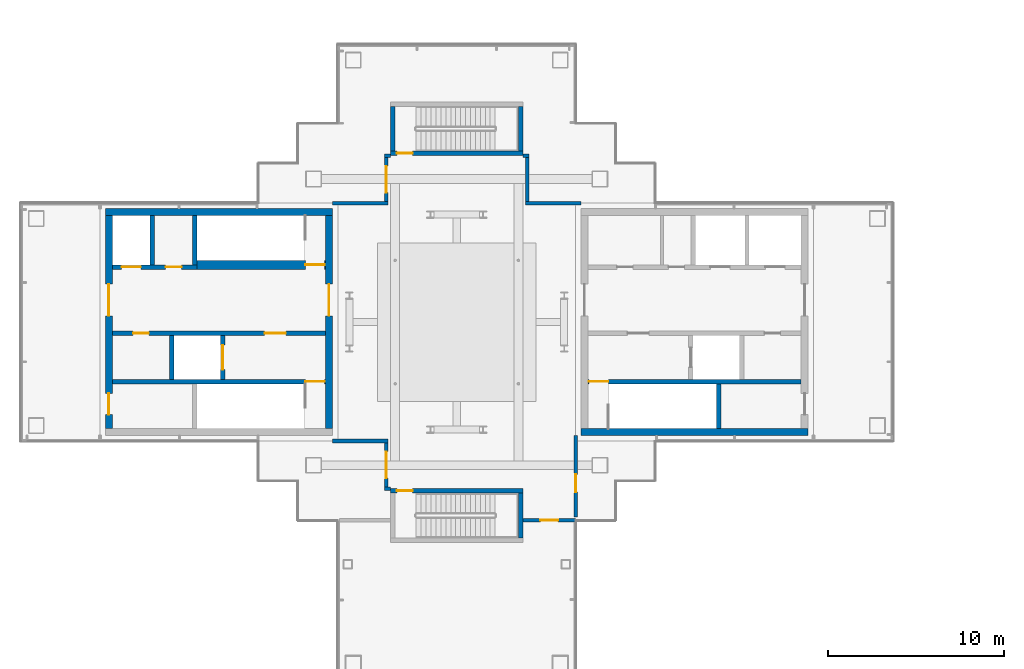
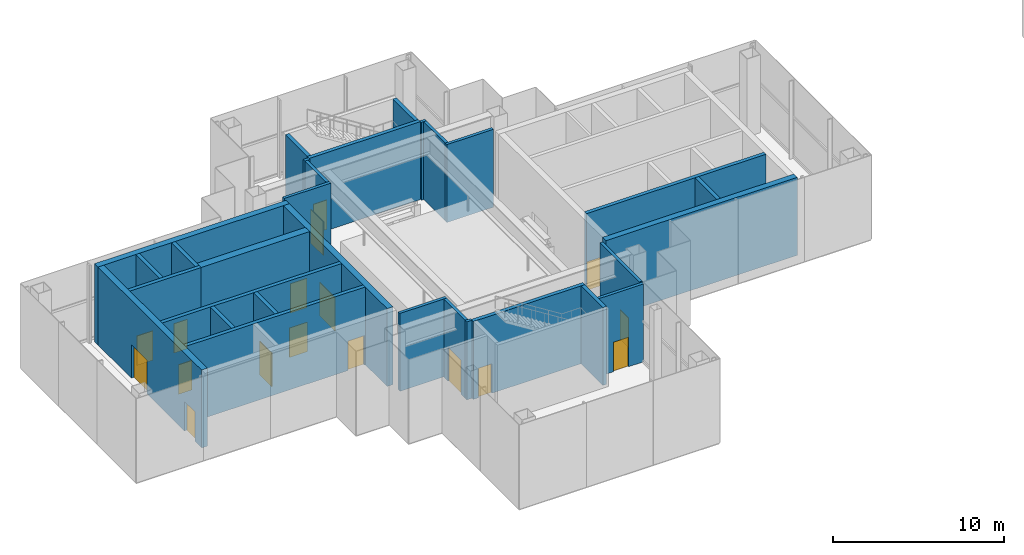
# One storey, part 9 of 17: 30 walls, 17 doors, 17 openings.
"""IFC4 building model written with IfcOpenShell, lengths in metres."""

from ifc_helpers import new_model, si_unit, direction, frame, frame_2d, origin, place, context, subcontext, project, spatial, rectangle, extrude, material, layer, layer_set, type_object, element, fill, save


model = new_model("IFC4")

# Units and contexts
model_context = context("Model", 3, precision=1e-05, world=origin(), true_north=direction((0.0, 1.0)))
body_context = subcontext(model_context, "Body", "Model", "MODEL_VIEW")
ifc_project = project(units=[si_unit("LENGTHUNIT", "METRE"), si_unit("AREAUNIT", "SQUARE_METRE"), si_unit("VOLUMEUNIT", "CUBIC_METRE"), si_unit("PLANEANGLEUNIT", "RADIAN"), si_unit("MASSUNIT", "GRAM", prefix="KILO")], contexts=[model_context])

# Site, building, storey
site_placement = place(None, origin())
site = spatial("IfcSite", under=ifc_project, at=site_placement, CompositionType="ELEMENT")
building_placement = place(site_placement, origin())
building = spatial("IfcBuilding", under=site, at=building_placement, Name="Shamsa Quay Exchange Towers", CompositionType="ELEMENT")
storey_placement = place(building_placement, frame((0.0, 0.0, 278.300048828125)))
storey = spatial("IfcBuildingStorey", under=building, at=storey_placement, Name="L67", CompositionType="ELEMENT", Elevation=278.300048828125)

# Walls
ifc_material_1 = material(Name="Concrete C60/75", Category="concrete")
ifc_layer_1 = layer(ifc_material_1, 0.39990234375)
ifc_layer_set_1 = layer_set([ifc_layer_1], Name="CORE WALL 400 C60/75")
wall_type_1 = type_object("IfcWallType", Name="CORE WALL 400 C60/75", PredefinedType="SHEAR", material=ifc_layer_set_1)
wall_1_placement = place(storey_placement, frame((-26.699951171875, -6.25, 0.0)))
element("IfcWall", 1, at=wall_1_placement, inside=storey, type_object=wall_type_1, Name="Core wall T1A-L67-PS", PredefinedType="SHEAR", context=body_context, shape_type="SweptSolid", body=[
    extrude(rectangle(XDim=12.89990234375, YDim=0.39990234375, at=frame_2d((6.449951171875, 0.0))), origin(), (0.0, 0.0, 1.0), 5.550048828125),
])
wall_2_placement = place(storey_placement, frame((-40.800048828125, 6.25, 0.0), z_axis=(0.0, 0.0, 1.0), x_axis=(-1.0, 0.0, 0.0)))
element("IfcWall", 2, at=wall_2_placement, inside=storey, type_object=wall_type_1, Name="Core wall T1B-L67-PN", PredefinedType="SHEAR", context=body_context, shape_type="SweptSolid", body=[
    extrude(rectangle(XDim=12.89990234375, YDim=0.39990234375, at=frame_2d((6.449951171875, 0.0))), origin(), (0.0, 0.0, 1.0), 5.550048828125),
])

# Wall, opening, door
wall_3_placement = place(storey_placement, frame((-41.0, -6.050048828125, 0.0), z_axis=(0.0, 0.0, 1.0), x_axis=(0.0, 1.0, 0.0)))
wall_3 = element("IfcWall", 3, at=wall_3_placement, inside=storey, type_object=wall_type_1, Name="Core wall T1B-L67-PF", PredefinedType="SHEAR", context=body_context, shape_type="SweptSolid", body=[
    extrude(rectangle(XDim=12.10009765625, YDim=0.39990234375, at=frame_2d((6.050048828125, 0.0))), origin(), (0.0, 0.0, 1.0), 5.550048828125),
])
opening_1_placement = place(wall_3_placement, frame((6.39990234375, 0.0, 0.0)))
opening_1 = element("IfcOpeningElement", 4, at=opening_1_placement, cuts=wall_3, Name="Opening T1B-L67-LBD01", PredefinedType="OPENING", context=body_context, shape_type="SweptSolid", body=[
    extrude(rectangle(XDim=1.800048828125, YDim=2.39990234375, at=frame_2d((0.89990234375, 1.199951171875))), frame((0.0, 0.2099609375, 0.0), z_axis=(0.0, -1.0, 0.0), x_axis=(1.0, 0.0, 0.0)), (0.0, 0.0, 1.0), 0.419921875),
])
ifc_material_2 = material(Name="Steel, fire rated", Category="steel")
door_type_1 = type_object("IfcDoorType", Name="LIFT LOBBY DOOR PAIR 1800", OperationType="DOUBLE_DOOR_SINGLE_SWING", PredefinedType="DOOR", material=ifc_material_2)
door_1_placement = place(opening_1_placement, origin())
door_1 = element("IfcDoor", 5, at=door_1_placement, inside=storey, type_object=door_type_1, Name="T1B-L67-LBD01", OperationType="DOUBLE_DOOR_SINGLE_SWING", OverallHeight=2.39990234375, OverallWidth=1.800048828125, PredefinedType="DOOR", context=body_context, shape_type="SweptSolid", body=[
    extrude(rectangle(XDim=1.800048828125, YDim=2.39990234375, at=frame_2d((0.89990234375, 1.199951171875))), frame((0.0, 0.02490234375, 0.0), z_axis=(0.0, -1.0, 0.0), x_axis=(1.0, 0.0, 0.0)), (0.0, 0.0, 1.0), 0.050048828125),
])
fill(opening_1, door_1)

# Wall, openings, doors
wall_4_placement = place(storey_placement, frame((-53.5, -6.050048828125, 0.0), z_axis=(0.0, 0.0, 1.0), x_axis=(0.0, 1.0, 0.0)))
wall_4 = element("IfcWall", 6, at=wall_4_placement, inside=storey, type_object=wall_type_1, Name="Core wall T1B-L67-PB", PredefinedType="SHEAR", context=body_context, shape_type="SweptSolid", body=[
    extrude(rectangle(XDim=12.10009765625, YDim=0.39990234375, at=frame_2d((6.050048828125, 0.0))), origin(), (0.0, 0.0, 1.0), 5.550048828125),
])
opening_2_placement = place(wall_4_placement, frame((0.800048828125, 0.0, 0.0)))
opening_2 = element("IfcOpeningElement", 7, at=opening_2_placement, cuts=wall_4, Name="Opening T1B-L67-RD02", PredefinedType="OPENING", context=body_context, shape_type="SweptSolid", body=[
    extrude(rectangle(XDim=1.199951171875, YDim=2.10009765625, at=frame_2d((0.60009765625, 1.050048828125))), frame((0.0, 0.2099609375, 0.0), z_axis=(0.0, -1.0, 0.0), x_axis=(1.0, 0.0, 0.0)), (0.0, 0.0, 1.0), 0.419921875),
])
opening_3_placement = place(wall_4_placement, frame((6.39990234375, 0.0, 0.0)))
opening_3 = element("IfcOpeningElement", 8, at=opening_3_placement, cuts=wall_4, Name="Opening T1B-L67-LBD03", PredefinedType="OPENING", context=body_context, shape_type="SweptSolid", body=[
    extrude(rectangle(XDim=1.800048828125, YDim=2.39990234375, at=frame_2d((0.89990234375, 1.199951171875))), frame((0.0, 0.2099609375, 0.0), z_axis=(0.0, -1.0, 0.0), x_axis=(1.0, 0.0, 0.0)), (0.0, 0.0, 1.0), 0.419921875),
])
door_2_placement = place(opening_3_placement, origin())
door_2 = element("IfcDoor", 9, at=door_2_placement, inside=storey, type_object=door_type_1, Name="T1B-L67-LBD03", OperationType="DOUBLE_DOOR_SINGLE_SWING", OverallHeight=2.39990234375, OverallWidth=1.800048828125, PredefinedType="DOOR", context=body_context, shape_type="SweptSolid", body=[
    extrude(rectangle(XDim=1.800048828125, YDim=2.39990234375, at=frame_2d((0.89990234375, 1.199951171875))), frame((0.0, 0.02490234375, 0.0), z_axis=(0.0, -1.0, 0.0), x_axis=(1.0, 0.0, 0.0)), (0.0, 0.0, 1.0), 0.050048828125),
])
fill(opening_3, door_2)
door_type_2 = type_object("IfcDoorType", Name="RISER ACCESS DOOR 1200", OperationType="SINGLE_SWING_LEFT", PredefinedType="DOOR", material=ifc_material_2)
door_3_placement = place(opening_2_placement, origin())
door_3 = element("IfcDoor", 10, at=door_3_placement, inside=storey, type_object=door_type_2, Name="T1B-L67-RD02", OperationType="SINGLE_SWING_LEFT", OverallHeight=2.10009765625, OverallWidth=1.199951171875, PredefinedType="DOOR", context=body_context, shape_type="SweptSolid", body=[
    extrude(rectangle(XDim=1.199951171875, YDim=2.10009765625, at=frame_2d((0.60009765625, 1.050048828125))), frame((0.0, 0.02490234375, 0.0), z_axis=(0.0, -1.0, 0.0), x_axis=(1.0, 0.0, 0.0)), (0.0, 0.0, 1.0), 0.050048828125),
])
fill(opening_2, door_3)

# Walls
ifc_material_3 = material(Name="Gypsum board partition on metal studs")
ifc_layer_2 = layer(ifc_material_3, 0.199951171875)
ifc_layer_set_2 = layer_set([ifc_layer_2], Name="Partition 200 mm EI 120")
wall_type_2 = type_object("IfcWallType", Name="Partition 200 mm EI 120", PredefinedType="PARTITIONING", material=ifc_layer_set_2)
for number, where, name in (
    (11, (-40.800048828125, 6.75, 0.0), "Partition T1-L67-W01"),
    (12, (-29.85009765625, 6.75, 0.0), "Partition T1-L67-W02"),
):
    element("IfcWall", number, at=place(storey_placement, frame(where)), inside=storey, type_object=wall_type_2, Name=name, PredefinedType="PARTITIONING", context=body_context, shape_type="SweptSolid", body=[
        extrude(rectangle(XDim=3.150146484375, YDim=0.199951171875, at=frame_2d((1.5751953125, 0.0))), origin(), (0.0, 0.0, 1.0), 5.550048828125),
    ])

# Wall, opening, door
wall_5_placement = place(storey_placement, frame((-37.75, -9.35009765625, 0.0), z_axis=(0.0, 0.0, 1.0), x_axis=(0.0, 1.0, 0.0)))
wall_5 = element("IfcWall", 13, at=wall_5_placement, inside=storey, type_object=wall_type_2, Name="Partition T1-L67-W03", PredefinedType="PARTITIONING", context=body_context, shape_type="SweptSolid", body=[
    extrude(rectangle(XDim=2.5, YDim=0.199951171875, at=frame_2d((1.25, 0.0))), origin(), (0.0, 0.0, 1.0), 5.550048828125),
])
opening_4_placement = place(wall_5_placement, frame((0.5, 0.0, 0.0)))
opening_4 = element("IfcOpeningElement", 14, at=opening_4_placement, cuts=wall_5, Name="Opening T1-L67-D01", PredefinedType="OPENING", context=body_context, shape_type="SweptSolid", body=[
    extrude(rectangle(XDim=1.5, YDim=2.39990234375, at=frame_2d((0.75, 1.199951171875))), frame((0.0, 0.10986328125, 0.0), z_axis=(0.0, -1.0, 0.0), x_axis=(1.0, 0.0, 0.0)), (0.0, 0.0, 1.0), 0.219970703125),
])
ifc_material_4 = material(Name="Timber door leaf in a metal frame", Category="wood")
door_type_3 = type_object("IfcDoorType", Name="Door 1500x2400 FD60 pair", OperationType="NOTDEFINED", PredefinedType="DOOR", material=ifc_material_4)
door_4_placement = place(opening_4_placement, origin())
door_4 = element("IfcDoor", 15, at=door_4_placement, inside=storey, type_object=door_type_3, Name="Door T1-L67-D01", OperationType="DOUBLE_DOOR_SINGLE_SWING", OverallHeight=2.39990234375, OverallWidth=1.5, PredefinedType="DOOR", context=body_context, shape_type="SweptSolid", body=[
    extrude(rectangle(XDim=1.5, YDim=2.39990234375, at=frame_2d((0.75, 1.199951171875))), frame((0.0, 0.02490234375, 0.0), z_axis=(0.0, -1.0, 0.0), x_axis=(1.0, 0.0, 0.0)), (0.0, 0.0, 1.0), 0.050048828125),
])
fill(opening_4, door_4)

wall_6_placement = place(storey_placement, frame((-37.75, 6.85009765625, 0.0), z_axis=(0.0, 0.0, 1.0), x_axis=(0.0, 1.0, 0.0)))
wall_6 = element("IfcWall", 16, at=wall_6_placement, inside=storey, type_object=wall_type_2, Name="Partition T1-L67-W04", PredefinedType="PARTITIONING", context=body_context, shape_type="SweptSolid", body=[
    extrude(rectangle(XDim=2.5, YDim=0.199951171875, at=frame_2d((1.25, 0.0))), origin(), (0.0, 0.0, 1.0), 5.550048828125),
])
opening_5_placement = place(wall_6_placement, frame((0.5, 0.0, 0.0)))
opening_5 = element("IfcOpeningElement", 17, at=opening_5_placement, cuts=wall_6, Name="Opening T1-L67-D02", PredefinedType="OPENING", context=body_context, shape_type="SweptSolid", body=[
    extrude(rectangle(XDim=1.5, YDim=2.39990234375, at=frame_2d((0.75, 1.199951171875))), frame((0.0, 0.10986328125, 0.0), z_axis=(0.0, -1.0, 0.0), x_axis=(1.0, 0.0, 0.0)), (0.0, 0.0, 1.0), 0.219970703125),
])
door_5_placement = place(opening_5_placement, origin())
door_5 = element("IfcDoor", 18, at=door_5_placement, inside=storey, type_object=door_type_3, Name="Door T1-L67-D02", OperationType="DOUBLE_DOOR_SINGLE_SWING", OverallHeight=2.39990234375, OverallWidth=1.5, PredefinedType="DOOR", context=body_context, shape_type="SweptSolid", body=[
    extrude(rectangle(XDim=1.5, YDim=2.39990234375, at=frame_2d((0.75, 1.199951171875))), frame((0.0, 0.02490234375, 0.0), z_axis=(0.0, -1.0, 0.0), x_axis=(1.0, 0.0, 0.0)), (0.0, 0.0, 1.0), 0.050048828125),
])
fill(opening_5, door_5)

# Walls
for number, where, name in (
    (19, (-37.85009765625, 9.4501953125, 0.0), "Partition T1-L67-W05"),
    (20, (-30.0, 9.4501953125, 0.0), "Partition T1-L67-W06"),
):
    element("IfcWall", number, at=place(storey_placement, frame(where)), inside=storey, type_object=wall_type_2, Name=name, PredefinedType="PARTITIONING", context=body_context, shape_type="SweptSolid", body=[
        extrude(rectangle(XDim=0.35009765625, YDim=0.199951171875, at=frame_2d((0.175048828125, 0.0))), origin(), (0.0, 0.0, 1.0), 5.550048828125),
    ])
wall_7_placement = place(storey_placement, frame((-29.75, 9.35009765625, 0.0), z_axis=(0.0, 0.0, 1.0), x_axis=(0.0, -1.0, 0.0)))
element("IfcWall", 21, at=wall_7_placement, inside=storey, type_object=wall_type_2, Name="Partition T1-L67-W07", PredefinedType="PARTITIONING", context=body_context, shape_type="SweptSolid", body=[
    extrude(rectangle(XDim=2.5, YDim=0.199951171875, at=frame_2d((1.25, 0.0))), origin(), (0.0, 0.0, 1.0), 5.550048828125),
])
wall_8_placement = place(storey_placement, frame((-37.5, -9.4501953125, 0.0), z_axis=(0.0, 0.0, 1.0), x_axis=(-1.0, 0.0, 0.0)))
element("IfcWall", 22, at=wall_8_placement, inside=storey, type_object=wall_type_2, Name="Partition T1-L67-W08", PredefinedType="PARTITIONING", context=body_context, shape_type="SweptSolid", body=[
    extrude(rectangle(XDim=0.35009765625, YDim=0.199951171875, at=frame_2d((0.175048828125, 0.0))), origin(), (0.0, 0.0, 1.0), 5.550048828125),
])
wall_9_placement = place(storey_placement, frame((-37.64990234375, -6.75, 0.0), z_axis=(0.0, 0.0, 1.0), x_axis=(-1.0, 0.0, 0.0)))
element("IfcWall", 23, at=wall_9_placement, inside=storey, type_object=wall_type_2, Name="Partition T1-L67-W09", PredefinedType="PARTITIONING", context=body_context, shape_type="SweptSolid", body=[
    extrude(rectangle(XDim=3.150146484375, YDim=0.199951171875, at=frame_2d((1.5751953125, 0.0))), origin(), (0.0, 0.0, 1.0), 5.550048828125),
])

# Wall, opening, door
wall_10_placement = place(storey_placement, frame((-26.9951171875, -11.25, 0.0), z_axis=(0.0, 0.0, 1.0), x_axis=(-1.0, 0.0, 0.0)))
wall_10 = element("IfcWall", 24, at=wall_10_placement, inside=storey, type_object=wall_type_2, Name="Partition T1-L67-W10", PredefinedType="PARTITIONING", context=body_context, shape_type="SweptSolid", body=[
    extrude(rectangle(XDim=3.0048828125, YDim=0.199951171875, at=frame_2d((1.50244140625, 0.0))), origin(), (0.0, 0.0, 1.0), 5.550048828125),
])
opening_6_placement = place(wall_10_placement, frame((1.0048828125, 0.0, 0.0)))
opening_6 = element("IfcOpeningElement", 25, at=opening_6_placement, cuts=wall_10, Name="Opening T1-L67-D03", PredefinedType="OPENING", context=body_context, shape_type="SweptSolid", body=[
    extrude(rectangle(XDim=1.0, YDim=2.10009765625, at=frame_2d((0.5, 1.050048828125))), frame((0.0, 0.10986328125, 0.0), z_axis=(0.0, -1.0, 0.0), x_axis=(1.0, 0.0, 0.0)), (0.0, 0.0, 1.0), 0.219970703125),
])
door_type_4 = type_object("IfcDoorType", Name="Door 1000x2100 FD60", OperationType="NOTDEFINED", PredefinedType="DOOR", material=ifc_material_4)
door_6_placement = place(opening_6_placement, origin())
door_6 = element("IfcDoor", 26, at=door_6_placement, inside=storey, type_object=door_type_4, Name="Door T1-L67-D03", OperationType="SINGLE_SWING_LEFT", OverallHeight=2.10009765625, OverallWidth=1.0, PredefinedType="DOOR", context=body_context, shape_type="SweptSolid", body=[
    extrude(rectangle(XDim=1.0, YDim=2.10009765625, at=frame_2d((0.5, 1.050048828125))), frame((0.0, 0.02490234375, 0.0), z_axis=(0.0, -1.0, 0.0), x_axis=(1.0, 0.0, 0.0)), (0.0, 0.0, 1.0), 0.050048828125),
])
fill(opening_6, door_6)

wall_11_placement = place(storey_placement, frame((-27.0, -6.449951171875, 0.0), z_axis=(0.0, 0.0, 1.0), x_axis=(0.0, -1.0, 0.0)))
wall_11 = element("IfcWall", 27, at=wall_11_placement, inside=storey, type_object=wall_type_2, Name="Partition T1-L67-W11", PredefinedType="PARTITIONING", context=body_context, shape_type="SweptSolid", body=[
    extrude(rectangle(XDim=4.60498046875, YDim=0.199951171875, at=frame_2d((2.302490234375, 0.0))), origin(), (0.0, 0.0, 1.0), 5.550048828125),
])
opening_7_placement = place(wall_11_placement, frame((2.199951171875, 0.0, 0.0)))
opening_7 = element("IfcOpeningElement", 28, at=opening_7_placement, cuts=wall_11, Name="Opening T1-L67-D04", PredefinedType="OPENING", context=body_context, shape_type="SweptSolid", body=[
    extrude(rectangle(XDim=1.0, YDim=2.10009765625, at=frame_2d((0.5, 1.050048828125))), frame((0.0, 0.10986328125, 0.0), z_axis=(0.0, -1.0, 0.0), x_axis=(1.0, 0.0, 0.0)), (0.0, 0.0, 1.0), 0.219970703125),
])
door_7_placement = place(opening_7_placement, origin())
door_7 = element("IfcDoor", 29, at=door_7_placement, inside=storey, type_object=door_type_4, Name="Door T1-L67-D04", OperationType="SINGLE_SWING_RIGHT", OverallHeight=2.10009765625, OverallWidth=1.0, PredefinedType="DOOR", context=body_context, shape_type="SweptSolid", body=[
    extrude(rectangle(XDim=1.0, YDim=2.10009765625, at=frame_2d((0.5, 1.050048828125))), frame((0.0, 0.02490234375, 0.0), z_axis=(0.0, -1.0, 0.0), x_axis=(1.0, 0.0, 0.0)), (0.0, 0.0, 1.0), 0.050048828125),
])
fill(opening_7, door_7)

ifc_material_5 = material(Name="Concrete C50/60", Category="concrete")
ifc_layer_3 = layer(ifc_material_5, 0.25)
ifc_layer_set_3 = layer_set([ifc_layer_3], Name="SHAFT WALL 250 C50/60")
wall_type_3 = type_object("IfcWallType", Name="SHAFT WALL 250 C50/60", PredefinedType="SHEAR", material=ifc_layer_set_3)
wall_12_placement = place(storey_placement, frame((-14.199951171875, -3.375, 0.0), z_axis=(0.0, 0.0, 1.0), x_axis=(-1.0, 0.0, 0.0)))
wall_12 = element("IfcWall", 30, at=wall_12_placement, inside=storey, type_object=wall_type_3, Name="Shaft wall T1A-L67-STL", PredefinedType="SHEAR", context=body_context, shape_type="SweptSolid", body=[
    extrude(rectangle(XDim=12.10009765625, YDim=0.25, at=frame_2d((6.050048828125, 0.0))), origin(), (0.0, 0.0, 1.0), 5.550048828125),
])
opening_8_placement = place(wall_12_placement, frame((10.949951171875, 0.0, 0.0)))
opening_8 = element("IfcOpeningElement", 31, at=opening_8_placement, cuts=wall_12, Name="Opening T1A-L67-SD04", PredefinedType="OPENING", context=body_context, shape_type="SweptSolid", body=[
    extrude(rectangle(XDim=1.10009765625, YDim=2.10009765625, at=frame_2d((0.550048828125, 1.050048828125))), frame((0.0, 0.135009765625, 0.0), z_axis=(0.0, -1.0, 0.0), x_axis=(1.0, 0.0, 0.0)), (0.0, 0.0, 1.0), 0.27001953125),
])
door_type_5 = type_object("IfcDoorType", Name="STAIR DOOR 1100", OperationType="SINGLE_SWING_LEFT", PredefinedType="DOOR", material=ifc_material_2)
door_8_placement = place(opening_8_placement, origin())
door_8 = element("IfcDoor", 32, at=door_8_placement, inside=storey, type_object=door_type_5, Name="T1A-L67-SD04", OperationType="SINGLE_SWING_RIGHT", OverallHeight=2.10009765625, OverallWidth=1.10009765625, PredefinedType="DOOR", context=body_context, shape_type="SweptSolid", body=[
    extrude(rectangle(XDim=1.10009765625, YDim=2.10009765625, at=frame_2d((0.550048828125, 1.050048828125))), frame((0.0, 0.02490234375, 0.0), z_axis=(0.0, -1.0, 0.0), x_axis=(1.0, 0.0, 0.0)), (0.0, 0.0, 1.0), 0.050048828125),
])
fill(opening_8, door_8)

# Wall
wall_13_placement = place(storey_placement, frame((-18.875, -6.050048828125, 0.0), z_axis=(0.0, 0.0, 1.0), x_axis=(0.0, 1.0, 0.0)))
element("IfcWall", 33, at=wall_13_placement, inside=storey, type_object=wall_type_3, Name="Shaft wall T1A-L67-STF", PredefinedType="SHEAR", context=body_context, shape_type="SweptSolid", body=[
    extrude(rectangle(XDim=2.550048828125, YDim=0.25, at=frame_2d((1.27490234375, 0.0))), origin(), (0.0, 0.0, 1.0), 5.550048828125),
])

# Wall, opening, door
wall_14_placement = place(storey_placement, frame((-41.199951171875, -3.375, 0.0), z_axis=(0.0, 0.0, 1.0), x_axis=(-1.0, 0.0, 0.0)))
wall_14 = element("IfcWall", 34, at=wall_14_placement, inside=storey, type_object=wall_type_3, Name="Shaft wall T1B-L67-STL", PredefinedType="SHEAR", context=body_context, shape_type="SweptSolid", body=[
    extrude(rectangle(XDim=12.10009765625, YDim=0.25, at=frame_2d((6.050048828125, 0.0))), origin(), (0.0, 0.0, 1.0), 5.550048828125),
])
opening_9_placement = place(wall_14_placement, frame((0.050048828125, 0.0, 0.0)))
opening_9 = element("IfcOpeningElement", 35, at=opening_9_placement, cuts=wall_14, Name="Opening T1B-L67-SD04", PredefinedType="OPENING", context=body_context, shape_type="SweptSolid", body=[
    extrude(rectangle(XDim=1.10009765625, YDim=2.10009765625, at=frame_2d((0.550048828125, 1.050048828125))), frame((0.0, 0.135009765625, 0.0), z_axis=(0.0, -1.0, 0.0), x_axis=(1.0, 0.0, 0.0)), (0.0, 0.0, 1.0), 0.27001953125),
])
door_9_placement = place(opening_9_placement, origin())
door_9 = element("IfcDoor", 36, at=door_9_placement, inside=storey, type_object=door_type_5, Name="T1B-L67-SD04", OperationType="SINGLE_SWING_LEFT", OverallHeight=2.10009765625, OverallWidth=1.10009765625, PredefinedType="DOOR", context=body_context, shape_type="SweptSolid", body=[
    extrude(rectangle(XDim=1.10009765625, YDim=2.10009765625, at=frame_2d((0.550048828125, 1.050048828125))), frame((0.0, 0.02490234375, 0.0), z_axis=(0.0, -1.0, 0.0), x_axis=(1.0, 0.0, 0.0)), (0.0, 0.0, 1.0), 0.050048828125),
])
fill(opening_9, door_9)

# Wall, openings, doors
wall_15_placement = place(storey_placement, frame((-41.199951171875, -0.625, 0.0), z_axis=(0.0, 0.0, 1.0), x_axis=(-1.0, 0.0, 0.0)))
wall_15 = element("IfcWall", 37, at=wall_15_placement, inside=storey, type_object=wall_type_3, Name="Shaft wall T1B-L67-B", PredefinedType="SHEAR", context=body_context, shape_type="SweptSolid", body=[
    extrude(rectangle(XDim=12.10009765625, YDim=0.25, at=frame_2d((6.050048828125, 0.0))), origin(), (0.0, 0.0, 1.0), 5.550048828125),
])
opening_10_placement = place(wall_15_placement, frame((2.25, 0.0, 0.0)))
opening_10 = element("IfcOpeningElement", 38, at=opening_10_placement, cuts=wall_15, Name="Opening T1B-L67-FD05", PredefinedType="OPENING", context=body_context, shape_type="SweptSolid", body=[
    extrude(rectangle(XDim=1.199951171875, YDim=2.10009765625, at=frame_2d((0.60009765625, 1.050048828125))), frame((0.0, 0.135009765625, 0.0), z_axis=(0.0, -1.0, 0.0), x_axis=(1.0, 0.0, 0.0)), (0.0, 0.0, 1.0), 0.27001953125),
])
opening_11_placement = place(wall_15_placement, frame((10.02490234375, 0.0, 0.0)))
opening_11 = element("IfcOpeningElement", 39, at=opening_11_placement, cuts=wall_15, Name="Opening T1B-L67-SV06", PredefinedType="OPENING", context=body_context, shape_type="SweptSolid", body=[
    extrude(rectangle(XDim=0.89990234375, YDim=2.10009765625, at=frame_2d((0.449951171875, 1.050048828125))), frame((0.0, 0.135009765625, 0.0), z_axis=(0.0, -1.0, 0.0), x_axis=(1.0, 0.0, 0.0)), (0.0, 0.0, 1.0), 0.27001953125),
])
door_type_6 = type_object("IfcDoorType", Name="FIRE SERVICE LOBBY DOOR 1200", OperationType="SINGLE_SWING_LEFT", PredefinedType="DOOR", material=ifc_material_2)
door_10_placement = place(opening_10_placement, origin())
door_10 = element("IfcDoor", 40, at=door_10_placement, inside=storey, type_object=door_type_6, Name="T1B-L67-FD05", OperationType="SINGLE_SWING_LEFT", OverallHeight=2.10009765625, OverallWidth=1.199951171875, PredefinedType="DOOR", context=body_context, shape_type="SweptSolid", body=[
    extrude(rectangle(XDim=1.199951171875, YDim=2.10009765625, at=frame_2d((0.60009765625, 1.050048828125))), frame((0.0, 0.02490234375, 0.0), z_axis=(0.0, -1.0, 0.0), x_axis=(1.0, 0.0, 0.0)), (0.0, 0.0, 1.0), 0.050048828125),
])
fill(opening_10, door_10)
door_type_7 = type_object("IfcDoorType", Name="SERVICE ROOM DOOR 900", OperationType="SINGLE_SWING_LEFT", PredefinedType="DOOR", material=ifc_material_2)
door_11_placement = place(opening_11_placement, origin())
door_11 = element("IfcDoor", 41, at=door_11_placement, inside=storey, type_object=door_type_7, Name="T1B-L67-SV06", OperationType="SINGLE_SWING_RIGHT", OverallHeight=2.10009765625, OverallWidth=0.89990234375, PredefinedType="DOOR", context=body_context, shape_type="SweptSolid", body=[
    extrude(rectangle(XDim=0.89990234375, YDim=2.10009765625, at=frame_2d((0.449951171875, 1.050048828125))), frame((0.0, 0.02490234375, 0.0), z_axis=(0.0, -1.0, 0.0), x_axis=(1.0, 0.0, 0.0)), (0.0, 0.0, 1.0), 0.050048828125),
])
fill(opening_11, door_11)

# Wall, opening, door
wall_16_placement = place(storey_placement, frame((-47.02490234375, -3.25, 0.0), z_axis=(0.0, 0.0, 1.0), x_axis=(0.0, 1.0, 0.0)))
wall_16 = element("IfcWall", 42, at=wall_16_placement, inside=storey, type_object=wall_type_3, Name="Shaft wall T1B-L67-FFF", PredefinedType="SHEAR", context=body_context, shape_type="SweptSolid", body=[
    extrude(rectangle(XDim=2.5, YDim=0.25, at=frame_2d((1.25, 0.0))), origin(), (0.0, 0.0, 1.0), 5.550048828125),
])
opening_12_placement = place(wall_16_placement, frame((0.550048828125, 0.0, 0.0)))
opening_12 = element("IfcOpeningElement", 43, at=opening_12_placement, cuts=wall_16, Name="Opening T1B-L67-LDG07", PredefinedType="OPENING", context=body_context, shape_type="SweptSolid", body=[
    extrude(rectangle(XDim=1.39990234375, YDim=2.39990234375, at=frame_2d((0.699951171875, 1.199951171875))), frame((0.0, 0.135009765625, 0.0), z_axis=(0.0, -1.0, 0.0), x_axis=(1.0, 0.0, 0.0)), (0.0, 0.0, 1.0), 0.27001953125),
])
door_type_8 = type_object("IfcDoorType", Name="GOODS LIFT LANDING DOOR 1400", OperationType="SLIDING_TO_LEFT", PredefinedType="DOOR", material=ifc_material_2)
door_12_placement = place(opening_12_placement, origin())
door_12 = element("IfcDoor", 44, at=door_12_placement, inside=storey, type_object=door_type_8, Name="T1B-L67-LDG07", OperationType="SLIDING_TO_LEFT", OverallHeight=2.39990234375, OverallWidth=1.39990234375, PredefinedType="DOOR", context=body_context, shape_type="SweptSolid", body=[
    extrude(rectangle(XDim=1.39990234375, YDim=2.39990234375, at=frame_2d((0.699951171875, 1.199951171875))), frame((0.0, 0.02490234375, 0.0), z_axis=(0.0, -1.0, 0.0), x_axis=(1.0, 0.0, 0.0)), (0.0, 0.0, 1.0), 0.050048828125),
])
fill(opening_12, door_12)

# Wall
wall_17_placement = place(storey_placement, frame((-49.925048828125, -3.25, 0.0), z_axis=(0.0, 0.0, 1.0), x_axis=(0.0, 1.0, 0.0)))
element("IfcWall", 45, at=wall_17_placement, inside=storey, type_object=wall_type_3, Name="Shaft wall T1B-L67-FFB", PredefinedType="SHEAR", context=body_context, shape_type="SweptSolid", body=[
    extrude(rectangle(XDim=2.5, YDim=0.25, at=frame_2d((1.25, 0.0))), origin(), (0.0, 0.0, 1.0), 5.550048828125),
])

# Wall, openings, doors
wall_18_placement = place(storey_placement, frame((-53.300048828125, 3.125, 0.0)))
wall_18 = element("IfcWall", 46, at=wall_18_placement, inside=storey, type_object=wall_type_3, Name="Shaft wall T1B-L67-N2", PredefinedType="SHEAR", context=body_context, shape_type="SweptSolid", body=[
    extrude(rectangle(XDim=4.800048828125, YDim=0.25, at=frame_2d((2.39990234375, 0.0))), origin(), (0.0, 0.0, 1.0), 5.550048828125),
])
opening_13_placement = place(wall_18_placement, frame((0.52490234375, 0.0, 0.0)))
opening_13 = element("IfcOpeningElement", 47, at=opening_13_placement, cuts=wall_18, Name="Opening T1B-L67-LD09", PredefinedType="OPENING", context=body_context, shape_type="SweptSolid", body=[
    extrude(rectangle(XDim=1.10009765625, YDim=2.10009765625, at=frame_2d((0.550048828125, 1.050048828125))), frame((0.0, 0.135009765625, 0.0), z_axis=(0.0, -1.0, 0.0), x_axis=(1.0, 0.0, 0.0)), (0.0, 0.0, 1.0), 0.27001953125),
])
opening_14_placement = place(wall_18_placement, frame((3.02490234375, 0.0, 0.0)))
opening_14 = element("IfcOpeningElement", 48, at=opening_14_placement, cuts=wall_18, Name="Opening T1B-L67-SV10", PredefinedType="OPENING", context=body_context, shape_type="SweptSolid", body=[
    extrude(rectangle(XDim=0.89990234375, YDim=2.10009765625, at=frame_2d((0.449951171875, 1.050048828125))), frame((0.0, 0.135009765625, 0.0), z_axis=(0.0, -1.0, 0.0), x_axis=(1.0, 0.0, 0.0)), (0.0, 0.0, 1.0), 0.27001953125),
])
door_type_9 = type_object("IfcDoorType", Name="LANDING DOOR 1100", OperationType="SLIDING_TO_LEFT", PredefinedType="DOOR", material=ifc_material_2)
door_13_placement = place(opening_13_placement, origin())
door_13 = element("IfcDoor", 49, at=door_13_placement, inside=storey, type_object=door_type_9, Name="T1B-L67-LD09", OperationType="SLIDING_TO_LEFT", OverallHeight=2.10009765625, OverallWidth=1.10009765625, PredefinedType="DOOR", context=body_context, shape_type="SweptSolid", body=[
    extrude(rectangle(XDim=1.10009765625, YDim=2.10009765625, at=frame_2d((0.550048828125, 1.050048828125))), frame((0.0, 0.02490234375, 0.0), z_axis=(0.0, -1.0, 0.0), x_axis=(1.0, 0.0, 0.0)), (0.0, 0.0, 1.0), 0.050048828125),
])
fill(opening_13, door_13)
door_14_placement = place(opening_14_placement, origin())
door_14 = element("IfcDoor", 50, at=door_14_placement, inside=storey, type_object=door_type_7, Name="T1B-L67-SV10", OperationType="SINGLE_SWING_RIGHT", OverallHeight=2.10009765625, OverallWidth=0.89990234375, PredefinedType="DOOR", context=body_context, shape_type="SweptSolid", body=[
    extrude(rectangle(XDim=0.89990234375, YDim=2.10009765625, at=frame_2d((0.449951171875, 1.050048828125))), frame((0.0, 0.02490234375, 0.0), z_axis=(0.0, -1.0, 0.0), x_axis=(1.0, 0.0, 0.0)), (0.0, 0.0, 1.0), 0.050048828125),
])
fill(opening_14, door_14)

# Walls
for number, where, z_axis, x_axis, name in (
    (51, (-48.625, 3.25, 0.0), (0.0, 0.0, 1.0), (0.0, 1.0, 0.0), "Shaft wall T1B-L67-STF2"),
    (52, (-51.02490234375, 3.25, 0.0), (0.0, 0.0, 1.0), (0.0, 1.0, 0.0), "Shaft wall T1B-L67-D0"),
):
    element("IfcWall", number, at=place(storey_placement, frame(where, z_axis=z_axis, x_axis=x_axis)), inside=storey, type_object=wall_type_3, Name=name, PredefinedType="SHEAR", context=body_context, shape_type="SweptSolid", body=[
        extrude(rectangle(XDim=2.800048828125, YDim=0.25, at=frame_2d((1.39990234375, 0.0))), origin(), (0.0, 0.0, 1.0), 5.550048828125),
    ])

# Wall, opening, door
wall_19_placement = place(storey_placement, frame((-30.0, 9.574951171875, 0.0), z_axis=(0.0, 0.0, 1.0), x_axis=(-1.0, 0.0, 0.0)))
wall_19 = element("IfcWall", 53, at=wall_19_placement, inside=storey, type_object=wall_type_3, Name="Stair enclosure wall RS1 S", PredefinedType="SHEAR", context=body_context, shape_type="SweptSolid", body=[
    extrude(rectangle(XDim=7.5, YDim=0.25, at=frame_2d((3.75, 0.0))), origin(), (0.0, 0.0, 1.0), 5.550048828125),
])
opening_15_placement = place(wall_19_placement, frame((6.25, 0.0, 0.0)))
opening_15 = element("IfcOpeningElement", 54, at=opening_15_placement, cuts=wall_19, Name="Opening RS1-L67-SD01", PredefinedType="OPENING", context=body_context, shape_type="SweptSolid", body=[
    extrude(rectangle(XDim=0.89990234375, YDim=2.10009765625, at=frame_2d((0.449951171875, 1.050048828125))), frame((0.0, 0.135009765625, 0.0), z_axis=(0.0, -1.0, 0.0), x_axis=(1.0, 0.0, 0.0)), (0.0, 0.0, 1.0), 0.27001953125),
])
door_type_10 = type_object("IfcDoorType", Name="ROOF STAIR DOOR 900", OperationType="SINGLE_SWING_LEFT", PredefinedType="DOOR", material=ifc_material_2)
door_15_placement = place(opening_15_placement, origin())
door_15 = element("IfcDoor", 55, at=door_15_placement, inside=storey, type_object=door_type_10, Name="RS1-L67-SD01", OperationType="SINGLE_SWING_RIGHT", OverallHeight=2.10009765625, OverallWidth=0.89990234375, PredefinedType="DOOR", context=body_context, shape_type="SweptSolid", body=[
    extrude(rectangle(XDim=0.89990234375, YDim=2.10009765625, at=frame_2d((0.449951171875, 1.050048828125))), frame((0.0, 0.02490234375, 0.0), z_axis=(0.0, -1.0, 0.0), x_axis=(1.0, 0.0, 0.0)), (0.0, 0.0, 1.0), 0.050048828125),
])
fill(opening_15, door_15)

# Walls
for number, where, z_axis, x_axis, name in (
    (56, (-37.375, 9.699951171875, 0.0), (0.0, 0.0, 1.0), (0.0, 1.0, 0.0), "Stair enclosure wall RS1 W"),
    (57, (-30.125, 9.699951171875, 0.0), (0.0, 0.0, 1.0), (0.0, 1.0, 0.0), "Stair enclosure wall RS1 E"),
):
    element("IfcWall", number, at=place(storey_placement, frame(where, z_axis=z_axis, x_axis=x_axis)), inside=storey, type_object=wall_type_3, Name=name, PredefinedType="SHEAR", context=body_context, shape_type="SweptSolid", body=[
        extrude(rectangle(XDim=2.550048828125, YDim=0.25, at=frame_2d((1.27490234375, 0.0))), origin(), (0.0, 0.0, 1.0), 5.550048828125),
    ])

# Wall, opening, door
wall_20_placement = place(storey_placement, frame((-37.5, -9.574951171875, 0.0)))
wall_20 = element("IfcWall", 58, at=wall_20_placement, inside=storey, type_object=wall_type_3, Name="Stair enclosure wall RS2 S", PredefinedType="SHEAR", context=body_context, shape_type="SweptSolid", body=[
    extrude(rectangle(XDim=7.5, YDim=0.25, at=frame_2d((3.75, 0.0))), origin(), (0.0, 0.0, 1.0), 5.550048828125),
])
opening_16_placement = place(wall_20_placement, frame((0.35009765625, 0.0, 0.0)))
opening_16 = element("IfcOpeningElement", 59, at=opening_16_placement, cuts=wall_20, Name="Opening RS2-L67-SD01", PredefinedType="OPENING", context=body_context, shape_type="SweptSolid", body=[
    extrude(rectangle(XDim=0.89990234375, YDim=2.10009765625, at=frame_2d((0.449951171875, 1.050048828125))), frame((0.0, 0.135009765625, 0.0), z_axis=(0.0, -1.0, 0.0), x_axis=(1.0, 0.0, 0.0)), (0.0, 0.0, 1.0), 0.27001953125),
])
door_16_placement = place(opening_16_placement, origin())
door_16 = element("IfcDoor", 60, at=door_16_placement, inside=storey, type_object=door_type_10, Name="RS2-L67-SD01", OperationType="SINGLE_SWING_LEFT", OverallHeight=2.10009765625, OverallWidth=0.89990234375, PredefinedType="DOOR", context=body_context, shape_type="SweptSolid", body=[
    extrude(rectangle(XDim=0.89990234375, YDim=2.10009765625, at=frame_2d((0.449951171875, 1.050048828125))), frame((0.0, 0.02490234375, 0.0), z_axis=(0.0, -1.0, 0.0), x_axis=(1.0, 0.0, 0.0)), (0.0, 0.0, 1.0), 0.050048828125),
])
fill(opening_16, door_16)

# Wall
wall_21_placement = place(storey_placement, frame((-30.125, -12.25, 0.0), z_axis=(0.0, 0.0, 1.0), x_axis=(0.0, 1.0, 0.0)))
element("IfcWall", 61, at=wall_21_placement, inside=storey, type_object=wall_type_3, Name="Stair enclosure wall RS2 E", PredefinedType="SHEAR", context=body_context, shape_type="SweptSolid", body=[
    extrude(rectangle(XDim=2.550048828125, YDim=0.25, at=frame_2d((1.27490234375, 0.0))), origin(), (0.0, 0.0, 1.0), 5.550048828125),
])

# Wall, opening, door
ifc_layer_4 = layer(ifc_material_5, 0.5)
ifc_layer_set_4 = layer_set([ifc_layer_4], Name="SHAFT WALL 500 C50/60")
wall_type_4 = type_object("IfcWallType", Name="SHAFT WALL 500 C50/60", PredefinedType="SHEAR", material=ifc_layer_set_4)
wall_22_placement = place(storey_placement, frame((-48.5, 3.25, 0.0)))
wall_22 = element("IfcWall", 62, at=wall_22_placement, inside=storey, type_object=wall_type_4, Name="Shaft wall T1B-L67-N", PredefinedType="SHEAR", context=body_context, shape_type="SweptSolid", body=[
    extrude(rectangle(XDim=7.300048828125, YDim=0.5, at=frame_2d((3.64990234375, 0.0))), origin(), (0.0, 0.0, 1.0), 5.550048828125),
])
opening_17_placement = place(wall_22_placement, frame((6.14990234375, 0.0, 0.0)))
opening_17 = element("IfcOpeningElement", 63, at=opening_17_placement, cuts=wall_22, Name="Opening T1B-L67-SD08", PredefinedType="OPENING", context=body_context, shape_type="SweptSolid", body=[
    extrude(rectangle(XDim=1.10009765625, YDim=2.10009765625, at=frame_2d((0.550048828125, 1.050048828125))), frame((0.0, 0.260009765625, 0.0), z_axis=(0.0, -1.0, 0.0), x_axis=(1.0, 0.0, 0.0)), (0.0, 0.0, 1.0), 0.52001953125),
])
door_17_placement = place(opening_17_placement, origin())
door_17 = element("IfcDoor", 64, at=door_17_placement, inside=storey, type_object=door_type_5, Name="T1B-L67-SD08", OperationType="SINGLE_SWING_RIGHT", OverallHeight=2.10009765625, OverallWidth=1.10009765625, PredefinedType="DOOR", context=body_context, shape_type="SweptSolid", body=[
    extrude(rectangle(XDim=1.10009765625, YDim=2.10009765625, at=frame_2d((0.550048828125, 1.050048828125))), frame((0.0, 0.02490234375, 0.0), z_axis=(0.0, -1.0, 0.0), x_axis=(1.0, 0.0, 0.0)), (0.0, 0.0, 1.0), 0.050048828125),
])
fill(opening_17, door_17)

save(model, "model.ifc")
